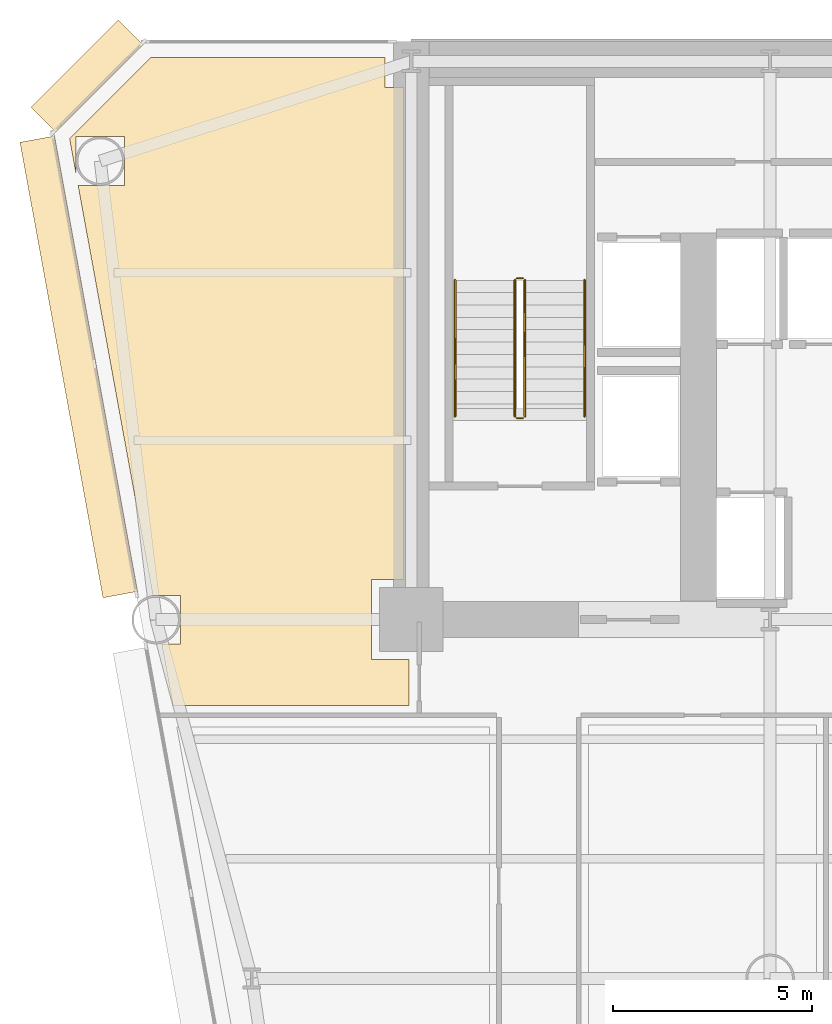
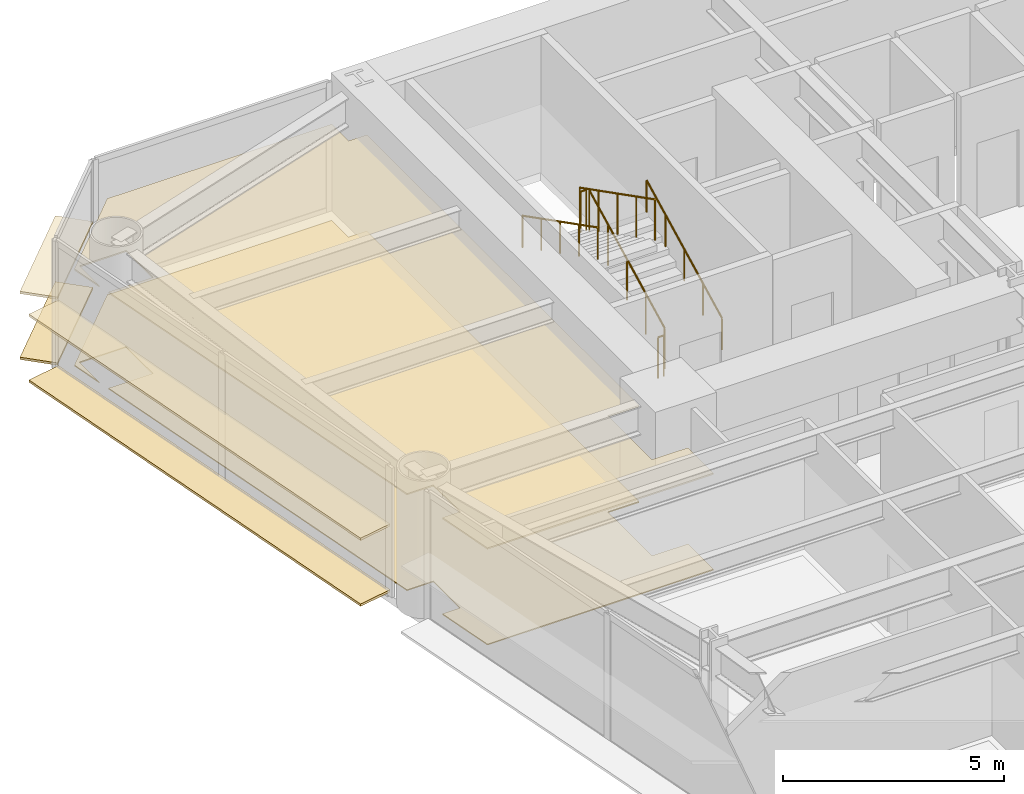
# One storey, part 12 of 14: 6 coverings, 6 railings.
"""IFC4 building model written with IfcOpenShell, lengths in metres."""

from ifc_helpers import new_model, si_unit, direction, frame, origin, origin_2d, place, context, subcontext, project, spatial, polyline, rectangle, circle, outline, extrude, source, transform, mapped, material, layer, layer_set, type_object, element, save


model = new_model("IFC4")

# Units and contexts
model_context = context("Model", 3, precision=1e-05, world=origin(), true_north=direction((0.0, 1.0)))
body_context = subcontext(model_context, "Body", "Model", "MODEL_VIEW")
ifc_project = project(units=[si_unit("LENGTHUNIT", "METRE"), si_unit("AREAUNIT", "SQUARE_METRE"), si_unit("VOLUMEUNIT", "CUBIC_METRE"), si_unit("PLANEANGLEUNIT", "RADIAN"), si_unit("MASSUNIT", "GRAM", prefix="KILO")], contexts=[model_context])

# Site, building, storey
site_placement = place(None, origin())
site = spatial("IfcSite", under=ifc_project, at=site_placement, CompositionType="ELEMENT")
building_placement = place(site_placement, origin())
building = spatial("IfcBuilding", under=site, at=building_placement, Name="Vaeldorn Concourse Tower", CompositionType="ELEMENT")
storey_placement = place(building_placement, frame((0.0, 0.0, 56.800048828125)))
storey = spatial("IfcBuildingStorey", under=building, at=storey_placement, Name="L14", CompositionType="ELEMENT", Elevation=56.800048828125)

# Coverings
ifc_material_1 = material(Name="Acoustic Mineral Fibre Board", Category="gypsum")
ifc_layer_1 = layer(ifc_material_1, 0.0400390625)
ifc_layer_set_1 = layer_set([ifc_layer_1], Name="Acoustic Mineral Fibre Board")
covering_type_1 = type_object("IfcCoveringType", Name="COV-CEIL-ACOUSTIC", PredefinedType="CEILING", material=ifc_layer_set_1)
covering_1_placement = place(storey_placement, frame((0.0, 0.0, 2.64990234375)))
element("IfcCovering", 1, at=covering_1_placement, inside=storey, type_object=covering_type_1, Name="Suspended Acoustic Ceiling L14-3", PredefinedType="CEILING", context=body_context, shape_type="SweptSolid", body=[
    extrude(outline(polyline([(7.4658203125, 50.60009765625), (13.340087890625, 50.60009765625), (13.340087890625, 49.840087890625), (13.820068359375, 49.840087890625), (13.820068359375, 37.5), (13.0, 37.5), (13.0, 35.5), (13.93994140625, 35.5), (13.93994140625, 34.340087890625), (8.023681640625, 34.340087890625), (7.7412109375, 35.890380859375), (8.20947265625, 35.890380859375), (8.20947265625, 37.109619140625), (7.51904296875, 37.109619140625), (5.645263671875, 47.390380859375), (6.8095703125, 47.390380859375), (6.8095703125, 48.609619140625), (5.590576171875, 48.609619140625), (5.590576171875, 47.69091796875), (5.43115234375, 48.5654296875), (7.4658203125, 50.60009765625)])), origin(), (0.0, 0.0, 1.0), 0.0400390625),
])
ifc_material_2 = material(Name="Honed Limestone Terrazzo Flooring", Category="masonry")
ifc_layer_2 = layer(ifc_material_2, 0.0400390625)
ifc_layer_set_2 = layer_set([ifc_layer_2], Name="Honed Limestone Terrazzo Flooring")
covering_type_2 = type_object("IfcCoveringType", Name="COV-FLOOR-STONE", PredefinedType="FLOORING", material=ifc_layer_set_2)
covering_2_placement = place(storey_placement, origin())
element("IfcCovering", 2, at=covering_2_placement, inside=storey, type_object=covering_type_2, Name="Floor Finish Covering L14-3", PredefinedType="FLOORING", context=body_context, shape_type="SweptSolid", body=[
    extrude(outline(polyline([(7.4658203125, 50.60009765625), (13.340087890625, 50.60009765625), (13.340087890625, 49.840087890625), (13.820068359375, 49.840087890625), (13.820068359375, 37.5), (13.0, 37.5), (13.0, 35.5), (13.93994140625, 35.5), (13.93994140625, 34.340087890625), (8.023681640625, 34.340087890625), (7.7412109375, 35.890380859375), (8.20947265625, 35.890380859375), (8.20947265625, 37.109619140625), (7.51904296875, 37.109619140625), (5.645263671875, 47.390380859375), (6.8095703125, 47.390380859375), (6.8095703125, 48.609619140625), (5.590576171875, 48.609619140625), (5.590576171875, 47.69091796875), (5.43115234375, 48.5654296875), (7.4658203125, 50.60009765625)])), origin(), (0.0, 0.0, 1.0), 0.030029296875),
])

# Railings
ifc_material_3 = material(Name="Anodised Bronze Aluminium", Category="aluminium")
railing_type_1 = type_object("IfcRailingType", Name="RL-STAIR-GUARD", PredefinedType="GUARDRAIL", material=ifc_material_3)
railing_1_placement = place(storey_placement, frame((16.85009765625, 41.60009765625, 0.158203125)))
element("IfcRailing", 3, at=railing_1_placement, inside=storey, type_object=railing_type_1, Name="L14 ST-1 stair guard 1", PredefinedType="GUARDRAIL", context=body_context, shape_type="SweptSolid", body=[
    extrude(circle(Radius=0.02392578125, at=origin_2d()), frame((0.0, 0.0, 1.1259765625), z_axis=(0.0, 0.890555807335, 0.454873997962), x_axis=(-1.0, 0.0, 0.0)), (0.0, 0.0, 1.0), 3.828857421875),
    extrude(circle(Radius=0.02099609375, at=origin_2d()), origin(), (0.0, 0.0, 1.0), 1.101806640625),
    extrude(circle(Radius=0.02099609375, at=origin_2d()), frame((0.0, 0.8525390625, 0.435546875)), (0.0, 0.0, 1.0), 1.101806640625),
    extrude(circle(Radius=0.02099609375, at=origin_2d()), frame((0.0, 1.705078125, 0.870849609375)), (0.0, 0.0, 1.0), 1.101806640625),
    extrude(circle(Radius=0.02099609375, at=origin_2d()), frame((0.0, 2.557373046875, 1.30615234375)), (0.0, 0.0, 1.0), 1.101806640625),
    extrude(circle(Radius=0.02099609375, at=origin_2d()), frame((0.0, 3.409912109375, 1.74169921875)), (0.0, 0.0, 1.0), 1.101806640625),
])
railing_2_placement = place(storey_placement, frame((16.800048828125, 45.06005859375, 1.89990234375)))
element("IfcRailing", 4, at=railing_2_placement, inside=storey, type_object=railing_type_1, Name="L14 ST-1 stair guard 2", PredefinedType="GUARDRAIL", context=body_context, shape_type="SweptSolid", body=[
    extrude(circle(Radius=0.02392578125, at=origin_2d()), frame((0.0, 0.0, 1.1259765625), z_axis=(-1.0, 0.0, 0.0), x_axis=(0.0, -1.0, 0.0)), (0.0, 0.0, 1.0), 0.150146484375),
    extrude(circle(Radius=0.02099609375, at=origin_2d()), origin(), (0.0, 0.0, 1.0), 1.101806640625),
    extrude(circle(Radius=0.02099609375, at=origin_2d()), frame((-0.150146484375, 0.0, 0.0)), (0.0, 0.0, 1.0), 1.101806640625),
])
railing_3_placement = place(storey_placement, frame((16.60009765625, 45.010009765625, 2.058349609375)))
element("IfcRailing", 5, at=railing_3_placement, inside=storey, type_object=railing_type_1, Name="L14 ST-1 stair guard 3", PredefinedType="GUARDRAIL", context=body_context, shape_type="SweptSolid", body=[
    extrude(circle(Radius=0.02392578125, at=origin_2d()), frame((0.0, 0.0, 1.1259765625), z_axis=(0.0, -0.890555807335, 0.454873997962), x_axis=(1.0, 0.0, 0.0)), (0.0, 0.0, 1.0), 3.828857421875),
    extrude(circle(Radius=0.02099609375, at=origin_2d()), origin(), (0.0, 0.0, 1.0), 1.101806640625),
    extrude(circle(Radius=0.02099609375, at=origin_2d()), frame((0.0, -0.8525390625, 0.435546875)), (0.0, 0.0, 1.0), 1.101806640625),
    extrude(circle(Radius=0.02099609375, at=origin_2d()), frame((0.0, -1.705078125, 0.870849609375)), (0.0, 0.0, 1.0), 1.101806640625),
    extrude(circle(Radius=0.02099609375, at=origin_2d()), frame((0.0, -2.557373046875, 1.30615234375)), (0.0, 0.0, 1.0), 1.101806640625),
    extrude(circle(Radius=0.02099609375, at=origin_2d()), frame((0.0, -3.409912109375, 1.74169921875)), (0.0, 0.0, 1.0), 1.101806640625),
])
railing_4_placement = place(storey_placement, frame((16.800048828125, 41.550048828125, 0.0)))
element("IfcRailing", 6, at=railing_4_placement, inside=storey, type_object=railing_type_1, Name="L14 ST-1 stair guard 4", PredefinedType="GUARDRAIL", context=body_context, shape_type="SweptSolid", body=[
    extrude(circle(Radius=0.02392578125, at=origin_2d()), frame((0.0, 0.0, 1.1259765625), z_axis=(-1.0, 0.0, 0.0), x_axis=(0.0, -1.0, 0.0)), (0.0, 0.0, 1.0), 0.150146484375),
    extrude(circle(Radius=0.02099609375, at=origin_2d()), origin(), (0.0, 0.0, 1.0), 1.101806640625),
    extrude(circle(Radius=0.02099609375, at=origin_2d()), frame((-0.150146484375, 0.0, 0.0)), (0.0, 0.0, 1.0), 1.101806640625),
])
railing_type_2 = type_object("IfcRailingType", Name="RL-STAIR-HANDRAIL", PredefinedType="HANDRAIL", material=ifc_material_3)
railing_5_placement = place(storey_placement, frame((18.35009765625, 41.60009765625, 0.158203125)))
element("IfcRailing", 7, at=railing_5_placement, inside=storey, type_object=railing_type_2, Name="L14 ST-1 stair handrail 1", PredefinedType="HANDRAIL", context=body_context, shape_type="SweptSolid", body=[
    extrude(circle(Radius=0.02392578125, at=origin_2d()), frame((0.0, 0.0, 0.8759765625), z_axis=(0.0, 0.890555807335, 0.454873997962), x_axis=(-1.0, 0.0, 0.0)), (0.0, 0.0, 1.0), 3.828857421875),
    extrude(circle(Radius=0.02099609375, at=origin_2d()), origin(), (0.0, 0.0, 1.0), 0.851806640625),
    extrude(circle(Radius=0.02099609375, at=origin_2d()), frame((0.0, 0.8525390625, 0.435546875)), (0.0, 0.0, 1.0), 0.851806640625),
    extrude(circle(Radius=0.02099609375, at=origin_2d()), frame((0.0, 1.705078125, 0.870849609375)), (0.0, 0.0, 1.0), 0.851806640625),
    extrude(circle(Radius=0.02099609375, at=origin_2d()), frame((0.0, 2.557373046875, 1.30615234375)), (0.0, 0.0, 1.0), 0.851806640625),
    extrude(circle(Radius=0.02099609375, at=origin_2d()), frame((0.0, 3.409912109375, 1.74169921875)), (0.0, 0.0, 1.0), 0.851806640625),
])
railing_6_placement = place(storey_placement, frame((15.10009765625, 45.010009765625, 2.058349609375)))
element("IfcRailing", 8, at=railing_6_placement, inside=storey, type_object=railing_type_2, Name="L14 ST-1 stair handrail 2", PredefinedType="HANDRAIL", context=body_context, shape_type="SweptSolid", body=[
    extrude(circle(Radius=0.02392578125, at=origin_2d()), frame((0.0, 0.0, 0.8759765625), z_axis=(0.0, -0.890555807335, 0.454873997962), x_axis=(1.0, 0.0, 0.0)), (0.0, 0.0, 1.0), 3.828857421875),
    extrude(circle(Radius=0.02099609375, at=origin_2d()), origin(), (0.0, 0.0, 1.0), 0.851806640625),
    extrude(circle(Radius=0.02099609375, at=origin_2d()), frame((0.0, -0.8525390625, 0.435546875)), (0.0, 0.0, 1.0), 0.851806640625),
    extrude(circle(Radius=0.02099609375, at=origin_2d()), frame((0.0, -1.705078125, 0.870849609375)), (0.0, 0.0, 1.0), 0.851806640625),
    extrude(circle(Radius=0.02099609375, at=origin_2d()), frame((0.0, -2.557373046875, 1.30615234375)), (0.0, 0.0, 1.0), 0.851806640625),
    extrude(circle(Radius=0.02099609375, at=origin_2d()), frame((0.0, -3.409912109375, 1.74169921875)), (0.0, 0.0, 1.0), 0.851806640625),
])

# Coverings
ifc_layer_3 = layer(ifc_material_3, 0.06494140625)
ifc_layer_set_3 = layer_set([ifc_layer_3], Name="Anodised Bronze Aluminium")
covering_type_3 = type_object("IfcCoveringType", Name="SD-BRONZE-SUNSHADE", PredefinedType="USERDEFINED", material=ifc_layer_set_3)
shared_shape_1 = source(origin(), body_context, "Body", "SweptSolid", [
    extrude(rectangle(XDim=3.0927734375, YDim=0.8798828125, at=origin_2d()), origin(), (0.0, 0.0, 1.0), 0.06494140625),
])
for number, where, z_axis, x_axis, name in (
    (9, (5.8671875, 50.1328125, 0.04736328125), (0.0, 0.0, 1.0), (-0.707106781187, -0.707106781187, 0.0), "Horizontal Bronze Sunshade L14-E10.1.1"),
    (10, (5.8671875, 50.1328125, 1.867431640625), (0.0, 0.0, 1.0), (-0.707106781187, -0.707106781187, 0.0), "Horizontal Bronze Sunshade L14-E10.1.2"),
):
    element("IfcCovering", number, at=place(storey_placement, frame(where, z_axis=z_axis, x_axis=x_axis)), inside=storey, type_object=covering_type_3, Name=name, ObjectType="SUNSHADE", PredefinedType="USERDEFINED", context=body_context, shape_type="MappedRepresentation", body=[
        mapped(shared_shape_1, transform((0.0, 0.0, 0.0), scale=1.0)),
    ])
shared_shape_2 = source(origin(), body_context, "Body", "SweptSolid", [
    extrude(rectangle(XDim=11.611083984375, YDim=0.8798828125, at=origin_2d()), origin(), (0.0, 0.0, 1.0), 0.06494140625),
])
for number, where, z_axis, x_axis, name in (
    (11, (5.66162109375, 42.837890625, 0.04736328125), (0.0, 0.0, 1.0), (0.17930018116, -0.983794411976, 0.0), "Horizontal Bronze Sunshade L14-E11.1.1"),
    (12, (5.66162109375, 42.837890625, 1.867431640625), (0.0, 0.0, 1.0), (0.17930018116, -0.983794411976, 0.0), "Horizontal Bronze Sunshade L14-E11.1.2"),
):
    element("IfcCovering", number, at=place(storey_placement, frame(where, z_axis=z_axis, x_axis=x_axis)), inside=storey, type_object=covering_type_3, Name=name, ObjectType="SUNSHADE", PredefinedType="USERDEFINED", context=body_context, shape_type="MappedRepresentation", body=[
        mapped(shared_shape_2, transform((0.0, 0.0, 0.0), scale=1.0)),
    ])

save(model, "model.ifc")
